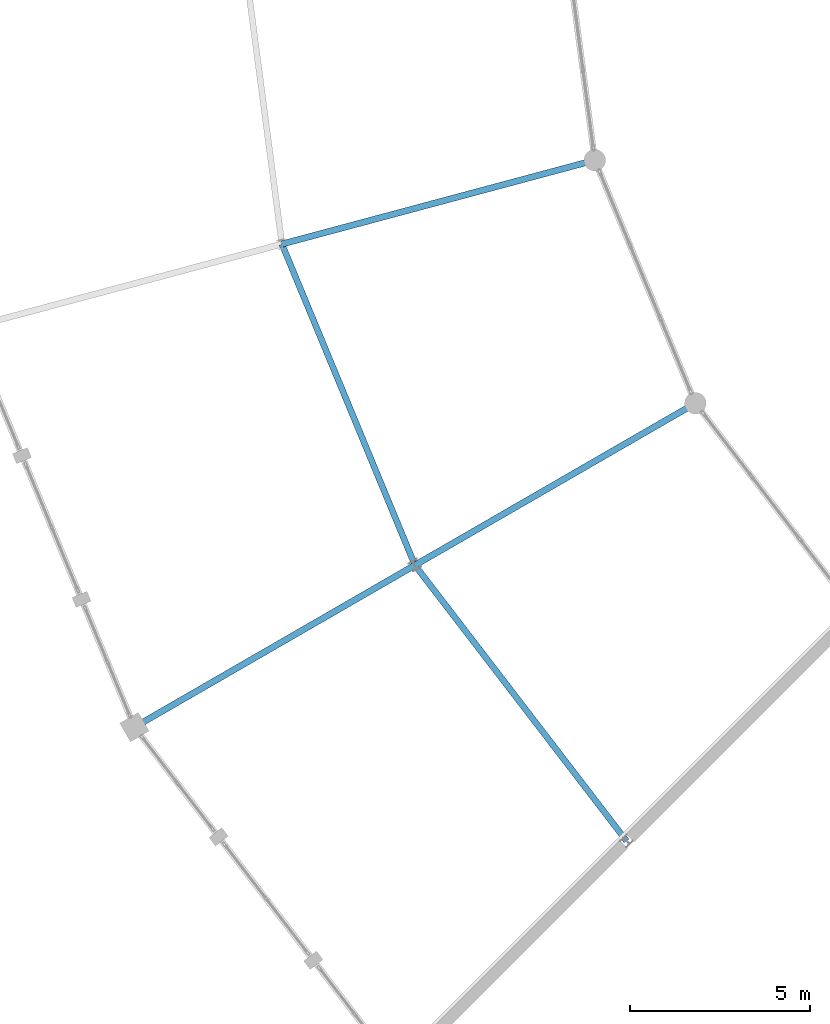
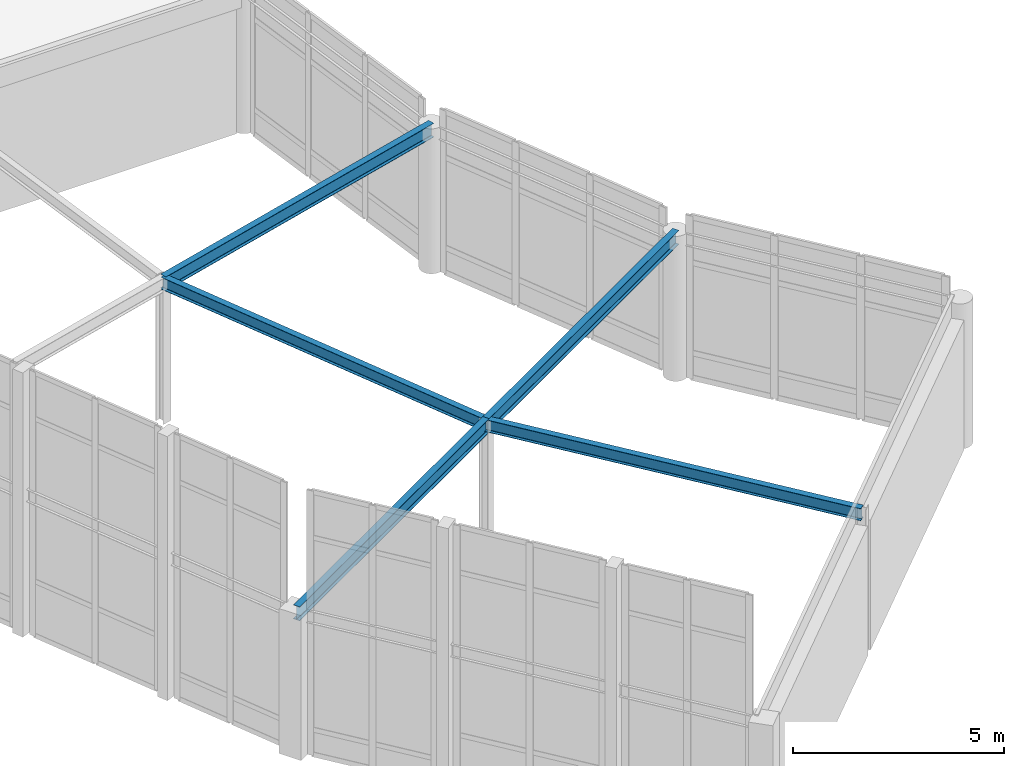
# One storey, part 28 of 93: 5 beams.
"""IFC4 building model written with IfcOpenShell, lengths in metres."""

from ifc_helpers import new_model, si_unit, direction, frame, origin, origin_2d, place, context, subcontext, project, spatial, i_section, extrude, material, material_profile, profile_set, type_object, element, save


model = new_model("IFC4")

# Units and contexts
model_context = context("Model", 3, precision=1e-05, world=origin(), true_north=direction((0.0, 1.0)))
body_context = subcontext(model_context, "Body", "Model", "MODEL_VIEW")
ifc_project = project(units=[si_unit("LENGTHUNIT", "METRE"), si_unit("AREAUNIT", "SQUARE_METRE"), si_unit("VOLUMEUNIT", "CUBIC_METRE"), si_unit("PLANEANGLEUNIT", "RADIAN"), si_unit("MASSUNIT", "GRAM", prefix="KILO")], contexts=[model_context])

# Site, building, storey
site_placement = place(None, origin())
site = spatial("IfcSite", under=ifc_project, at=site_placement, CompositionType="ELEMENT")
building_placement = place(site_placement, origin())
building = spatial("IfcBuilding", under=site, at=building_placement, Name="Vondelvale Polytechnic", CompositionType="ELEMENT")
storey_placement = place(building_placement, frame((0.0, 0.0, 18.0)))
storey = spatial("IfcBuildingStorey", under=building, at=storey_placement, Name="L04", CompositionType="ELEMENT", Elevation=18.0)

# Beams
ifc_material = material(Name="Steel 300PLUS (fy = 300 MPa)", Category="steel")
ifc_material_profile_1 = material_profile(ifc_material, i_section(OverallWidth=0.1708984375, OverallDepth=0.35205078125, WebThickness=0.0068359375, FlangeThickness=0.009765625, FilletRadius=0.011474609375, at=origin_2d()), Name="360UB44.7")
ifc_profile_set_1 = profile_set([ifc_material_profile_1], Name="Steel 300PLUS (fy = 300 MPa)")
beam_type_1 = type_object("IfcBeamType", Name="BM-UB360L", PredefinedType="BEAM", material=ifc_profile_set_1)
for number, where, z_axis, x_axis, name in (
    (1, (66.2607421875, 62.423583984375, 4.02392578125), (0.38268516011, -0.923878816854, 0.0), (0.923878816854, 0.38268516011, 0.0), "L04 RE B-24"),
    (2, (69.95703125, 53.5, 4.02392578125), (0.60874775518, -0.793363832402, 0.0), (0.793363832402, 0.60874775518, 0.0), "L04 RE B-24"),
):
    element("IfcBeam", number, at=place(storey_placement, frame(where, z_axis=z_axis, x_axis=x_axis)), inside=storey, type_object=beam_type_1, Name=name, PredefinedType="BEAM", context=body_context, shape_type="SweptSolid", body=[
        extrude(i_section(OverallWidth=0.1708984375, OverallDepth=0.35205078125, WebThickness=0.0068359375, FlangeThickness=0.009765625, FilletRadius=0.011474609375, at=origin_2d()), origin(), (0.0, 0.0, 1.0), 9.658935546875),
    ])
ifc_material_profile_2 = material_profile(ifc_material, i_section(OverallWidth=0.177978515625, OverallDepth=0.403076171875, WebThickness=0.007568359375, FlangeThickness=0.010986328125, FilletRadius=0.011474609375, at=origin_2d()), Name="410UB53.7")
ifc_profile_set_2 = profile_set([ifc_material_profile_2], Name="Steel 300PLUS (fy = 300 MPa)")
beam_type_2 = type_object("IfcBeamType", Name="BM-UB410L", PredefinedType="BEAM", material=ifc_profile_set_2)
for number, where, z_axis, x_axis, name in (
    (3, (74.9541015625, 64.753173828125, 3.99853515625), (-0.965919958881, -0.258840941576, 0.0), (0.258840941576, -0.965919958881, 0.0), "L04 REG B-23"),
    (4, (77.751220703125, 58.0, 3.99853515625), (-0.866024315419, -0.5000018851, 0.0), (0.5000018851, -0.866024315419, 0.0), "L04 REG B-23"),
    (5, (69.95703125, 53.5, 3.99853515625), (-0.866024315419, -0.5000018851, 0.0), (0.5000018851, -0.866024315419, 0.0), "L04 REG B-23"),
):
    element("IfcBeam", number, at=place(storey_placement, frame(where, z_axis=z_axis, x_axis=x_axis)), inside=storey, type_object=beam_type_2, Name=name, PredefinedType="BEAM", context=body_context, shape_type="SweptSolid", body=[
        extrude(i_section(OverallWidth=0.177978515625, OverallDepth=0.403076171875, WebThickness=0.007568359375, FlangeThickness=0.010986328125, FilletRadius=0.011474609375, at=origin_2d()), origin(), (0.0, 0.0, 1.0), 9.0),
    ])

save(model, "model.ifc")
